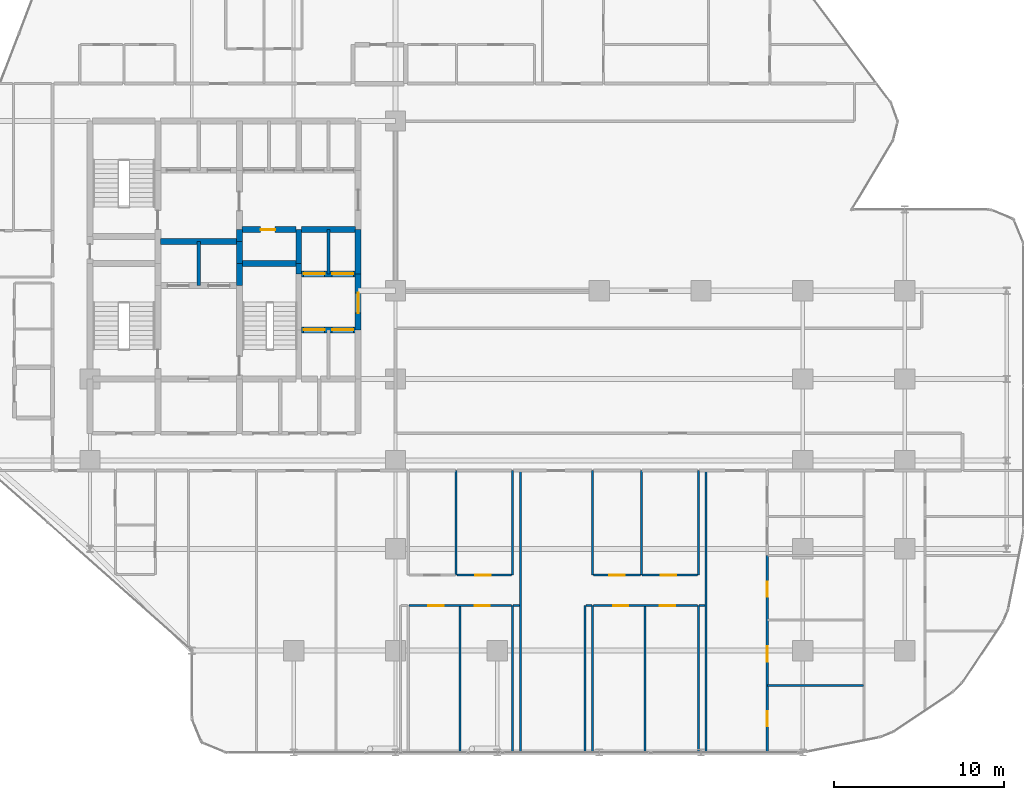
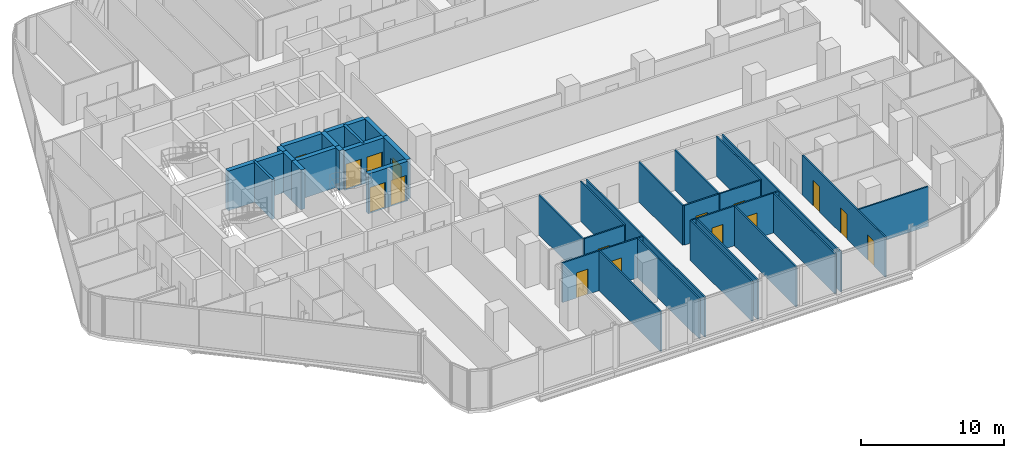
# One storey, part 28 of 33: 38 walls, 16 doors, 16 openings.
"""IFC4 building model written with IfcOpenShell, lengths in metres."""

from ifc_helpers import new_model, si_unit, direction, frame, frame_2d, origin, place, context, subcontext, project, spatial, rectangle, extrude, material, layer, layer_set, type_object, element, fill, save


model = new_model("IFC4")

# Units and contexts
model_context = context("Model", 3, precision=1e-05, world=origin(), true_north=direction((0.0, 1.0)))
body_context = subcontext(model_context, "Body", "Model", "MODEL_VIEW")
ifc_project = project(units=[si_unit("LENGTHUNIT", "METRE"), si_unit("AREAUNIT", "SQUARE_METRE"), si_unit("VOLUMEUNIT", "CUBIC_METRE"), si_unit("PLANEANGLEUNIT", "RADIAN"), si_unit("MASSUNIT", "GRAM", prefix="KILO")], contexts=[model_context])

# Site, building, storey
site_placement = place(None, origin())
site = spatial("IfcSite", under=ifc_project, at=site_placement, CompositionType="ELEMENT")
building_placement = place(site_placement, origin())
building = spatial("IfcBuilding", under=site, at=building_placement, Name="Keshet Zoharim Tower", CompositionType="ELEMENT")
storey_placement = place(building_placement, frame((0.0, 0.0, 73.800048828125)))
storey = spatial("IfcBuildingStorey", under=building, at=storey_placement, Name="L17", CompositionType="ELEMENT", Elevation=73.800048828125)

# Walls
ifc_material_1 = material(Name="Concrete C60/75", Category="concrete")
ifc_layer_1 = layer(ifc_material_1, 0.35009765625)
ifc_layer_set_1 = layer_set([ifc_layer_1], Name="Concrete C60/75")
wall_type_1 = type_object("IfcWallType", Name="WL-CORE-350", PredefinedType="SHEAR", material=ifc_layer_set_1)
for number, where, z_axis, x_axis, name in (
    (1, (23.800048828125, 28.199951171875, 0.0), (0.0, 0.0, 1.0), (0.0, 1.0, 0.0), "L17 Core Shear Wall 039"),
    (2, (23.800048828125, 29.5, 0.0), (0.0, 0.0, 1.0), (0.0, 1.0, 0.0), "L17 Core Shear Wall 040"),
):
    element("IfcWall", number, at=place(storey_placement, frame(where, z_axis=z_axis, x_axis=x_axis)), inside=storey, type_object=wall_type_1, Name=name, PredefinedType="SHEAR", context=body_context, shape_type="SweptSolid", body=[
        extrude(rectangle(XDim=1.300048828125, YDim=0.35009765625, at=frame_2d((0.64990234375, 0.0))), origin(), (0.0, 0.0, 1.0), 3.385009765625),
    ])
wall_1_placement = place(storey_placement, frame((23.800048828125, 30.800048828125, 0.0), z_axis=(0.0, 0.0, 1.0), x_axis=(0.0, 1.0, 0.0)))
element("IfcWall", 3, at=wall_1_placement, inside=storey, type_object=wall_type_1, Name="L17 Core Shear Wall 041", PredefinedType="SHEAR", context=body_context, shape_type="SweptSolid", body=[
    extrude(rectangle(XDim=0.699951171875, YDim=0.35009765625, at=frame_2d((0.35009765625, 0.0))), origin(), (0.0, 0.0, 1.0), 3.385009765625),
])
wall_2_placement = place(storey_placement, frame((27.300048828125, 28.89990234375, 0.0), z_axis=(0.0, 0.0, 1.0), x_axis=(0.0, 1.0, 0.0)))
element("IfcWall", 4, at=wall_2_placement, inside=storey, type_object=wall_type_1, Name="L17 Core Shear Wall 051", PredefinedType="SHEAR", context=body_context, shape_type="SweptSolid", body=[
    extrude(rectangle(XDim=0.60009765625, YDim=0.35009765625, at=frame_2d((0.300048828125, 0.0))), origin(), (0.0, 0.0, 1.0), 3.385009765625),
])
wall_3_placement = place(storey_placement, frame((27.300048828125, 29.5, 0.0), z_axis=(0.0, 0.0, 1.0), x_axis=(0.0, 1.0, 0.0)))
element("IfcWall", 5, at=wall_3_placement, inside=storey, type_object=wall_type_1, Name="L17 Core Shear Wall 052", PredefinedType="SHEAR", context=body_context, shape_type="SweptSolid", body=[
    extrude(rectangle(XDim=2.0, YDim=0.35009765625, at=frame_2d((1.0, 0.0))), origin(), (0.0, 0.0, 1.0), 3.385009765625),
])

# Wall, opening, door
wall_4_placement = place(storey_placement, frame((30.800048828125, 25.60009765625, 0.0), z_axis=(0.0, 0.0, 1.0), x_axis=(0.0, 1.0, 0.0)))
wall_4 = element("IfcWall", 6, at=wall_4_placement, inside=storey, type_object=wall_type_1, Name="L17 Core Shear Wall 065", PredefinedType="SHEAR", context=body_context, shape_type="SweptSolid", body=[
    extrude(rectangle(XDim=3.2998046875, YDim=0.35009765625, at=frame_2d((1.64990234375, 0.0))), origin(), (0.0, 0.0, 1.0), 3.385009765625),
])
opening_1_placement = place(wall_4_placement, frame((0.97802734375, 0.0, 0.0)))
opening_1 = element("IfcOpeningElement", 7, at=opening_1_placement, cuts=wall_4, Name="Opening D-F612", PredefinedType="OPENING", context=body_context, shape_type="SweptSolid", body=[
    extrude(rectangle(XDim=1.199951171875, YDim=2.199951171875, at=frame_2d((0.60009765625, 1.10009765625))), frame((0.0, 0.18505859375, 0.0), z_axis=(0.0, -1.0, 0.0), x_axis=(1.0, 0.0, 0.0)), (0.0, 0.0, 1.0), 0.3701171875),
])
ifc_material_2 = material(Name="Hardwood Timber", Category="wood")
door_type_1 = type_object("IfcDoorType", Name="DR-FD60-120", OperationType="NOTDEFINED", PredefinedType="DOOR", material=ifc_material_2)
door_1_placement = place(opening_1_placement, origin())
door_1 = element("IfcDoor", 8, at=door_1_placement, inside=storey, type_object=door_type_1, Name="L17 East Lift Lobby Fire Door", OperationType="SINGLE_SWING_RIGHT", OverallHeight=2.199951171875, OverallWidth=1.199951171875, PredefinedType="DOOR", context=body_context, shape_type="SweptSolid", body=[
    extrude(rectangle(XDim=1.199951171875, YDim=2.199951171875, at=frame_2d((0.60009765625, 1.10009765625))), frame((0.0, 0.02490234375, 0.0), z_axis=(0.0, -1.0, 0.0), x_axis=(1.0, 0.0, 0.0)), (0.0, 0.0, 1.0), 0.050048828125),
])
fill(opening_1, door_1)

# Wall
wall_5_placement = place(storey_placement, frame((30.800048828125, 28.89990234375, 0.0), z_axis=(0.0, 0.0, 1.0), x_axis=(0.0, 1.0, 0.0)))
element("IfcWall", 9, at=wall_5_placement, inside=storey, type_object=wall_type_1, Name="L17 Core Shear Wall 066", PredefinedType="SHEAR", context=body_context, shape_type="SweptSolid", body=[
    extrude(rectangle(XDim=2.60009765625, YDim=0.35009765625, at=frame_2d((1.300048828125, 0.0))), origin(), (0.0, 0.0, 1.0), 3.385009765625),
])

# Wall, openings, doors
wall_6_placement = place(storey_placement, frame((27.4599609375, 25.60009765625, 0.0), z_axis=(0.0, 0.0, 1.0), x_axis=(1.0, 0.0, 0.0)))
wall_6 = element("IfcWall", 10, at=wall_6_placement, inside=storey, type_object=wall_type_1, Name="L17 Core Shear Wall 166", PredefinedType="SHEAR", context=body_context, shape_type="SweptSolid", body=[
    extrude(rectangle(XDim=3.179931640625, YDim=0.35009765625, at=frame_2d((1.58984375, 0.0))), origin(), (0.0, 0.0, 1.0), 3.385009765625),
])
opening_2_placement = place(wall_6_placement, frame((0.1201171875, 0.0, 0.0)))
opening_2 = element("IfcOpeningElement", 11, at=opening_2_placement, cuts=wall_6, Name="Opening LD-01", PredefinedType="OPENING", context=body_context, shape_type="SweptSolid", body=[
    extrude(rectangle(XDim=1.25, YDim=2.199951171875, at=frame_2d((0.625, 1.10009765625))), frame((0.0, 0.18505859375, 0.0), z_axis=(0.0, -1.0, 0.0), x_axis=(1.0, 0.0, 0.0)), (0.0, 0.0, 1.0), 0.3701171875),
])
opening_3_placement = place(wall_6_placement, frame((1.81005859375, 0.0, 0.0)))
opening_3 = element("IfcOpeningElement", 12, at=opening_3_placement, cuts=wall_6, Name="Opening LD-01", PredefinedType="OPENING", context=body_context, shape_type="SweptSolid", body=[
    extrude(rectangle(XDim=1.25, YDim=2.199951171875, at=frame_2d((0.625, 1.10009765625))), frame((0.0, 0.18505859375, 0.0), z_axis=(0.0, -1.0, 0.0), x_axis=(1.0, 0.0, 0.0)), (0.0, 0.0, 1.0), 0.3701171875),
])
ifc_material_3 = material(Name="Steel S355", Category="steel")
door_type_2 = type_object("IfcDoorType", Name="DR-LD01-125", OperationType="DOUBLE_DOOR_SLIDING", PredefinedType="DOOR", material=ifc_material_3)
door_2_placement = place(opening_2_placement, origin())
door_2 = element("IfcDoor", 13, at=door_2_placement, inside=storey, type_object=door_type_2, Name="L17 Passenger Lift Landing Door LF-07", OperationType="DOUBLE_DOOR_SLIDING", OverallHeight=2.199951171875, OverallWidth=1.25, PredefinedType="DOOR", context=body_context, shape_type="SweptSolid", body=[
    extrude(rectangle(XDim=1.25, YDim=2.199951171875, at=frame_2d((0.625, 1.10009765625))), frame((0.0, 0.02490234375, 0.0), z_axis=(0.0, -1.0, 0.0), x_axis=(1.0, 0.0, 0.0)), (0.0, 0.0, 1.0), 0.050048828125),
])
fill(opening_2, door_2)
door_3_placement = place(opening_3_placement, origin())
door_3 = element("IfcDoor", 14, at=door_3_placement, inside=storey, type_object=door_type_2, Name="L17 Passenger Lift Landing Door LF-08", OperationType="DOUBLE_DOOR_SLIDING", OverallHeight=2.199951171875, OverallWidth=1.25, PredefinedType="DOOR", context=body_context, shape_type="SweptSolid", body=[
    extrude(rectangle(XDim=1.25, YDim=2.199951171875, at=frame_2d((0.625, 1.10009765625))), frame((0.0, 0.02490234375, 0.0), z_axis=(0.0, -1.0, 0.0), x_axis=(1.0, 0.0, 0.0)), (0.0, 0.0, 1.0), 0.050048828125),
])
fill(opening_3, door_3)

wall_7_placement = place(storey_placement, frame((27.4599609375, 28.89990234375, 0.0), z_axis=(0.0, 0.0, 1.0), x_axis=(1.0, 0.0, 0.0)))
wall_7 = element("IfcWall", 15, at=wall_7_placement, inside=storey, type_object=wall_type_1, Name="L17 Core Shear Wall 176", PredefinedType="SHEAR", context=body_context, shape_type="SweptSolid", body=[
    extrude(rectangle(XDim=3.179931640625, YDim=0.35009765625, at=frame_2d((1.58984375, 0.0))), origin(), (0.0, 0.0, 1.0), 3.385009765625),
])
opening_4_placement = place(wall_7_placement, frame((0.1201171875, 0.0, 0.0)))
opening_4 = element("IfcOpeningElement", 16, at=opening_4_placement, cuts=wall_7, Name="Opening LD-01", PredefinedType="OPENING", context=body_context, shape_type="SweptSolid", body=[
    extrude(rectangle(XDim=1.25, YDim=2.199951171875, at=frame_2d((0.625, 1.10009765625))), frame((0.0, 0.18505859375, 0.0), z_axis=(0.0, -1.0, 0.0), x_axis=(1.0, 0.0, 0.0)), (0.0, 0.0, 1.0), 0.3701171875),
])
opening_5_placement = place(wall_7_placement, frame((1.81005859375, 0.0, 0.0)))
opening_5 = element("IfcOpeningElement", 17, at=opening_5_placement, cuts=wall_7, Name="Opening LD-01", PredefinedType="OPENING", context=body_context, shape_type="SweptSolid", body=[
    extrude(rectangle(XDim=1.25, YDim=2.199951171875, at=frame_2d((0.625, 1.10009765625))), frame((0.0, 0.18505859375, 0.0), z_axis=(0.0, -1.0, 0.0), x_axis=(1.0, 0.0, 0.0)), (0.0, 0.0, 1.0), 0.3701171875),
])
door_4_placement = place(opening_4_placement, origin())
door_4 = element("IfcDoor", 18, at=door_4_placement, inside=storey, type_object=door_type_2, Name="L17 Passenger Lift Landing Door LF-05", OperationType="DOUBLE_DOOR_SLIDING", OverallHeight=2.199951171875, OverallWidth=1.25, PredefinedType="DOOR", context=body_context, shape_type="SweptSolid", body=[
    extrude(rectangle(XDim=1.25, YDim=2.199951171875, at=frame_2d((0.625, 1.10009765625))), frame((0.0, 0.02490234375, 0.0), z_axis=(0.0, -1.0, 0.0), x_axis=(1.0, 0.0, 0.0)), (0.0, 0.0, 1.0), 0.050048828125),
])
fill(opening_4, door_4)
door_5_placement = place(opening_5_placement, origin())
door_5 = element("IfcDoor", 19, at=door_5_placement, inside=storey, type_object=door_type_2, Name="L17 Passenger Lift Landing Door LF-06", OperationType="DOUBLE_DOOR_SLIDING", OverallHeight=2.199951171875, OverallWidth=1.25, PredefinedType="DOOR", context=body_context, shape_type="SweptSolid", body=[
    extrude(rectangle(XDim=1.25, YDim=2.199951171875, at=frame_2d((0.625, 1.10009765625))), frame((0.0, 0.02490234375, 0.0), z_axis=(0.0, -1.0, 0.0), x_axis=(1.0, 0.0, 0.0)), (0.0, 0.0, 1.0), 0.050048828125),
])
fill(opening_5, door_5)

# Walls
wall_8_placement = place(storey_placement, frame((23.9599609375, 29.5, 0.0), z_axis=(0.0, 0.0, 1.0), x_axis=(1.0, 0.0, 0.0)))
element("IfcWall", 20, at=wall_8_placement, inside=storey, type_object=wall_type_1, Name="L17 Core Shear Wall 178", PredefinedType="SHEAR", context=body_context, shape_type="SweptSolid", body=[
    extrude(rectangle(XDim=3.179931640625, YDim=0.35009765625, at=frame_2d((1.58984375, 0.0))), origin(), (0.0, 0.0, 1.0), 3.385009765625),
])
wall_9_placement = place(storey_placement, frame((19.159912109375, 30.800048828125, 0.0), z_axis=(0.0, 0.0, 1.0), x_axis=(1.0, 0.0, 0.0)))
element("IfcWall", 21, at=wall_9_placement, inside=storey, type_object=wall_type_1, Name="L17 Core Shear Wall 179", PredefinedType="SHEAR", context=body_context, shape_type="SweptSolid", body=[
    extrude(rectangle(XDim=4.47998046875, YDim=0.35009765625, at=frame_2d((2.239990234375, 0.0))), origin(), (0.0, 0.0, 1.0), 3.385009765625),
])

# Wall, opening, door
wall_10_placement = place(storey_placement, frame((23.9599609375, 31.5, 0.0), z_axis=(0.0, 0.0, 1.0), x_axis=(1.0, 0.0, 0.0)))
wall_10 = element("IfcWall", 22, at=wall_10_placement, inside=storey, type_object=wall_type_1, Name="L17 Core Shear Wall 183", PredefinedType="SHEAR", context=body_context, shape_type="SweptSolid", body=[
    extrude(rectangle(XDim=3.179931640625, YDim=0.35009765625, at=frame_2d((1.58984375, 0.0))), origin(), (0.0, 0.0, 1.0), 3.385009765625),
])
opening_6_placement = place(wall_10_placement, frame((1.093994140625, 0.0, 0.0)))
opening_6 = element("IfcOpeningElement", 23, at=opening_6_placement, cuts=wall_10, Name="Opening D-RS85", PredefinedType="OPENING", context=body_context, shape_type="SweptSolid", body=[
    extrude(rectangle(XDim=0.85009765625, YDim=2.10009765625, at=frame_2d((0.425048828125, 1.050048828125))), frame((0.0, 0.18505859375, 0.0), z_axis=(0.0, -1.0, 0.0), x_axis=(1.0, 0.0, 0.0)), (0.0, 0.0, 1.0), 0.3701171875),
])
door_type_3 = type_object("IfcDoorType", Name="DR-RIS-085", OperationType="NOTDEFINED", PredefinedType="DOOR", material=ifc_material_2)
door_6_placement = place(opening_6_placement, origin())
door_6 = element("IfcDoor", 24, at=door_6_placement, inside=storey, type_object=door_type_3, Name="L17 Telecom Riser Access Cupboard Door", OperationType="SINGLE_SWING_RIGHT", OverallHeight=2.10009765625, OverallWidth=0.85009765625, PredefinedType="DOOR", context=body_context, shape_type="SweptSolid", body=[
    extrude(rectangle(XDim=0.85009765625, YDim=2.10009765625, at=frame_2d((0.425048828125, 1.050048828125))), frame((0.0, 0.02490234375, 0.0), z_axis=(0.0, -1.0, 0.0), x_axis=(1.0, 0.0, 0.0)), (0.0, 0.0, 1.0), 0.050048828125),
])
fill(opening_6, door_6)

# Walls
wall_11_placement = place(storey_placement, frame((27.4599609375, 31.5, 0.0), z_axis=(0.0, 0.0, 1.0), x_axis=(1.0, 0.0, 0.0)))
element("IfcWall", 25, at=wall_11_placement, inside=storey, type_object=wall_type_1, Name="L17 Core Shear Wall 184", PredefinedType="SHEAR", context=body_context, shape_type="SweptSolid", body=[
    extrude(rectangle(XDim=3.179931640625, YDim=0.35009765625, at=frame_2d((1.58984375, 0.0))), origin(), (0.0, 0.0, 1.0), 3.385009765625),
])
ifc_material_4 = material(Name="Concrete C50/60", Category="concrete")
ifc_layer_2 = layer(ifc_material_4, 0.199951171875)
ifc_layer_set_2 = layer_set([ifc_layer_2], Name="Concrete C50/60")
wall_type_2 = type_object("IfcWallType", Name="WL-FIRE-200", PredefinedType="STANDARD", material=ifc_layer_set_2)
for number, where, z_axis, x_axis, name in (
    (26, (21.39990234375, 28.199951171875, 0.0), (0.0, 0.0, 1.0), (0.0, 1.0, 0.0), "L17 Interior Wall 034"),
    (27, (29.050048828125, 28.89990234375, 0.0), (0.0, 0.0, 1.0), (0.0, 1.0, 0.0), "L17 Interior Wall 057"),
):
    element("IfcWall", number, at=place(storey_placement, frame(where, z_axis=z_axis, x_axis=x_axis)), inside=storey, type_object=wall_type_2, Name=name, PredefinedType="STANDARD", context=body_context, shape_type="SweptSolid", body=[
        extrude(rectangle(XDim=2.60009765625, YDim=0.199951171875, at=frame_2d((1.300048828125, 0.0))), origin(), (0.0, 0.0, 1.0), 3.385009765625),
    ])
ifc_material_5 = material(Name="Gypsum Plasterboard", Category="gypsum")
ifc_layer_3 = layer(ifc_material_5, 0.1201171875)
ifc_layer_set_3 = layer_set([ifc_layer_3], Name="Gypsum Plasterboard")
wall_type_3 = type_object("IfcWallType", Name="WL-PART-120", PredefinedType="PARTITIONING", material=ifc_layer_set_3)
for number, where, z_axis, x_axis, name in (
    (28, (36.800048828125, 0.7099609375, 0.0), (0.0, 0.0, 1.0), (0.0, 1.0, 0.0), "L17 Interior Wall 079"),
    (29, (39.89990234375, 0.7099609375, 0.0), (0.0, 0.0, 1.0), (0.0, 1.0, 0.0), "L17 Interior Wall 081"),
):
    element("IfcWall", number, at=place(storey_placement, frame(where, z_axis=z_axis, x_axis=x_axis)), inside=storey, type_object=wall_type_3, Name=name, PredefinedType="PARTITIONING", context=body_context, shape_type="SweptSolid", body=[
        extrude(rectangle(XDim=8.64013671875, YDim=0.1201171875, at=frame_2d((4.320068359375, 0.0))), origin(), (0.0, 0.0, 1.0), 3.385009765625),
    ])
wall_12_placement = place(storey_placement, frame((40.35009765625, 0.7099609375, 0.0), z_axis=(0.0, 0.0, 1.0), x_axis=(0.0, 1.0, 0.0)))
element("IfcWall", 30, at=wall_12_placement, inside=storey, type_object=wall_type_3, Name="L17 Interior Wall 083", PredefinedType="PARTITIONING", context=body_context, shape_type="SweptSolid", body=[
    extrude(rectangle(XDim=16.590087890625, YDim=0.1201171875, at=frame_2d((8.294921875, 0.0))), origin(), (0.0, 0.0, 1.0), 3.385009765625),
])
for number, where, z_axis, x_axis, name in (
    (31, (44.14990234375, 0.7099609375, 0.0), (0.0, 0.0, 1.0), (0.0, 1.0, 0.0), "L17 Interior Wall 087"),
    (32, (44.60009765625, 0.7099609375, 0.0), (0.0, 0.0, 1.0), (0.0, 1.0, 0.0), "L17 Interior Wall 088"),
):
    element("IfcWall", number, at=place(storey_placement, frame(where, z_axis=z_axis, x_axis=x_axis)), inside=storey, type_object=wall_type_3, Name=name, PredefinedType="PARTITIONING", context=body_context, shape_type="SweptSolid", body=[
        extrude(rectangle(XDim=8.64013671875, YDim=0.1201171875, at=frame_2d((4.320068359375, 0.0))), origin(), (0.0, 0.0, 1.0), 3.385009765625),
    ])
wall_13_placement = place(storey_placement, frame((44.60009765625, 11.14990234375, 0.0), z_axis=(0.0, 0.0, 1.0), x_axis=(0.0, 1.0, 0.0)))
element("IfcWall", 33, at=wall_13_placement, inside=storey, type_object=wall_type_3, Name="L17 Interior Wall 089", PredefinedType="PARTITIONING", context=body_context, shape_type="SweptSolid", body=[
    extrude(rectangle(XDim=6.150146484375, YDim=0.1201171875, at=frame_2d((3.0751953125, 0.0))), origin(), (0.0, 0.0, 1.0), 3.385009765625),
])
for number, where, z_axis, x_axis, name in (
    (34, (47.699951171875, 0.7099609375, 0.0), (0.0, 0.0, 1.0), (0.0, 1.0, 0.0), "L17 Interior Wall 094"),
    (35, (50.85009765625, 0.7099609375, 0.0), (0.0, 0.0, 1.0), (0.0, 1.0, 0.0), "L17 Interior Wall 095"),
):
    element("IfcWall", number, at=place(storey_placement, frame(where, z_axis=z_axis, x_axis=x_axis)), inside=storey, type_object=wall_type_3, Name=name, PredefinedType="PARTITIONING", context=body_context, shape_type="SweptSolid", body=[
        extrude(rectangle(XDim=8.64013671875, YDim=0.1201171875, at=frame_2d((4.320068359375, 0.0))), origin(), (0.0, 0.0, 1.0), 3.385009765625),
    ])
wall_14_placement = place(storey_placement, frame((51.300048828125, 0.7099609375, 0.0), z_axis=(0.0, 0.0, 1.0), x_axis=(0.0, 1.0, 0.0)))
element("IfcWall", 36, at=wall_14_placement, inside=storey, type_object=wall_type_3, Name="L17 Interior Wall 097", PredefinedType="PARTITIONING", context=body_context, shape_type="SweptSolid", body=[
    extrude(rectangle(XDim=16.590087890625, YDim=0.1201171875, at=frame_2d((8.294921875, 0.0))), origin(), (0.0, 0.0, 1.0), 3.385009765625),
])

# Wall, openings, doors
wall_15_placement = place(storey_placement, frame((54.89990234375, 0.7099609375, 0.0), z_axis=(0.0, 0.0, 1.0), x_axis=(0.0, 1.0, 0.0)))
wall_15 = element("IfcWall", 37, at=wall_15_placement, inside=storey, type_object=wall_type_3, Name="L17 Interior Wall 101", PredefinedType="PARTITIONING", context=body_context, shape_type="SweptSolid", body=[
    extrude(rectangle(XDim=11.590087890625, YDim=0.1201171875, at=frame_2d((5.794921875, 0.0))), origin(), (0.0, 0.0, 1.0), 3.385009765625),
])
opening_7_placement = place(wall_15_placement, frame((1.534912109375, 0.0, 0.0)))
opening_7 = element("IfcOpeningElement", 38, at=opening_7_placement, cuts=wall_15, Name="Opening D-IN90", PredefinedType="OPENING", context=body_context, shape_type="SweptSolid", body=[
    extrude(rectangle(XDim=0.89990234375, YDim=2.14990234375, at=frame_2d((0.449951171875, 1.074951171875))), frame((0.0, 0.070068359375, 0.0), z_axis=(0.0, -1.0, 0.0), x_axis=(1.0, 0.0, 0.0)), (0.0, 0.0, 1.0), 0.14013671875),
])
opening_8_placement = place(wall_15_placement, frame((5.34912109375, 0.0, 0.0)))
opening_8 = element("IfcOpeningElement", 39, at=opening_8_placement, cuts=wall_15, Name="Opening D-IN90", PredefinedType="OPENING", context=body_context, shape_type="SweptSolid", body=[
    extrude(rectangle(XDim=0.89990234375, YDim=2.14990234375, at=frame_2d((0.449951171875, 1.074951171875))), frame((0.0, 0.070068359375, 0.0), z_axis=(0.0, -1.0, 0.0), x_axis=(1.0, 0.0, 0.0)), (0.0, 0.0, 1.0), 0.14013671875),
])
opening_9_placement = place(wall_15_placement, frame((9.158935546875, 0.0, 0.0)))
opening_9 = element("IfcOpeningElement", 40, at=opening_9_placement, cuts=wall_15, Name="Opening D-IN90", PredefinedType="OPENING", context=body_context, shape_type="SweptSolid", body=[
    extrude(rectangle(XDim=0.89990234375, YDim=2.14990234375, at=frame_2d((0.449951171875, 1.074951171875))), frame((0.0, 0.070068359375, 0.0), z_axis=(0.0, -1.0, 0.0), x_axis=(1.0, 0.0, 0.0)), (0.0, 0.0, 1.0), 0.14013671875),
])
door_type_4 = type_object("IfcDoorType", Name="DR-INT-090", OperationType="NOTDEFINED", PredefinedType="DOOR", material=ifc_material_2)
door_7_placement = place(opening_7_placement, origin())
door_7 = element("IfcDoor", 41, at=door_7_placement, inside=storey, type_object=door_type_4, Name="Apartment 1704 Bedroom 1 Door", OperationType="SINGLE_SWING_RIGHT", OverallHeight=2.14990234375, OverallWidth=0.89990234375, PredefinedType="DOOR", context=body_context, shape_type="SweptSolid", body=[
    extrude(rectangle(XDim=0.89990234375, YDim=2.14990234375, at=frame_2d((0.449951171875, 1.074951171875))), frame((0.0, 0.02490234375, 0.0), z_axis=(0.0, -1.0, 0.0), x_axis=(1.0, 0.0, 0.0)), (0.0, 0.0, 1.0), 0.050048828125),
])
fill(opening_7, door_7)
door_8_placement = place(opening_8_placement, origin())
door_8 = element("IfcDoor", 42, at=door_8_placement, inside=storey, type_object=door_type_4, Name="Apartment 1704 Bedroom 2 Door", OperationType="SINGLE_SWING_LEFT", OverallHeight=2.14990234375, OverallWidth=0.89990234375, PredefinedType="DOOR", context=body_context, shape_type="SweptSolid", body=[
    extrude(rectangle(XDim=0.89990234375, YDim=2.14990234375, at=frame_2d((0.449951171875, 1.074951171875))), frame((0.0, 0.02490234375, 0.0), z_axis=(0.0, -1.0, 0.0), x_axis=(1.0, 0.0, 0.0)), (0.0, 0.0, 1.0), 0.050048828125),
])
fill(opening_8, door_8)
door_9_placement = place(opening_9_placement, origin())
door_9 = element("IfcDoor", 43, at=door_9_placement, inside=storey, type_object=door_type_4, Name="Apartment 1704 Bedroom 3 Door", OperationType="SINGLE_SWING_RIGHT", OverallHeight=2.14990234375, OverallWidth=0.89990234375, PredefinedType="DOOR", context=body_context, shape_type="SweptSolid", body=[
    extrude(rectangle(XDim=0.89990234375, YDim=2.14990234375, at=frame_2d((0.449951171875, 1.074951171875))), frame((0.0, 0.02490234375, 0.0), z_axis=(0.0, -1.0, 0.0), x_axis=(1.0, 0.0, 0.0)), (0.0, 0.0, 1.0), 0.050048828125),
])
fill(opening_9, door_9)

# Wall
wall_16_placement = place(storey_placement, frame((54.925048828125, 4.64990234375, 0.0), z_axis=(0.0, 0.0, 1.0), x_axis=(1.0, 0.0, 0.0)))
element("IfcWall", 44, at=wall_16_placement, inside=storey, type_object=wall_type_3, Name="L17 Interior Wall 115", PredefinedType="PARTITIONING", context=body_context, shape_type="SweptSolid", body=[
    extrude(rectangle(XDim=5.639892578125, YDim=0.1201171875, at=frame_2d((2.81982421875, 0.0))), origin(), (0.0, 0.0, 1.0), 3.385009765625),
])

# Wall, openings, doors
wall_17_placement = place(storey_placement, frame((33.784912109375, 9.35009765625, 0.0), z_axis=(0.0, 0.0, 1.0), x_axis=(1.0, 0.0, 0.0)))
wall_17 = element("IfcWall", 45, at=wall_17_placement, inside=storey, type_object=wall_type_3, Name="L17 Interior Wall 119", PredefinedType="PARTITIONING", context=body_context, shape_type="SweptSolid", body=[
    extrude(rectangle(XDim=6.06005859375, YDim=0.1201171875, at=frame_2d((3.030029296875, 0.0))), origin(), (0.0, 0.0, 1.0), 3.385009765625),
])
opening_10_placement = place(wall_17_placement, frame((1.14404296875, 0.0, 0.0)))
opening_10 = element("IfcOpeningElement", 46, at=opening_10_placement, cuts=wall_17, Name="Opening D-IN90", PredefinedType="OPENING", context=body_context, shape_type="SweptSolid", body=[
    extrude(rectangle(XDim=0.89990234375, YDim=2.14990234375, at=frame_2d((0.449951171875, 1.074951171875))), frame((0.0, 0.070068359375, 0.0), z_axis=(0.0, -1.0, 0.0), x_axis=(1.0, 0.0, 0.0)), (0.0, 0.0, 1.0), 0.14013671875),
])
opening_11_placement = place(wall_17_placement, frame((3.868896484375, 0.0, 0.0)))
opening_11 = element("IfcOpeningElement", 47, at=opening_11_placement, cuts=wall_17, Name="Opening D-IN90", PredefinedType="OPENING", context=body_context, shape_type="SweptSolid", body=[
    extrude(rectangle(XDim=0.89990234375, YDim=2.14990234375, at=frame_2d((0.449951171875, 1.074951171875))), frame((0.0, 0.070068359375, 0.0), z_axis=(0.0, -1.0, 0.0), x_axis=(1.0, 0.0, 0.0)), (0.0, 0.0, 1.0), 0.14013671875),
])
door_10_placement = place(opening_10_placement, origin())
door_10 = element("IfcDoor", 48, at=door_10_placement, inside=storey, type_object=door_type_4, Name="Apartment 1702 Bedroom 1 Door", OperationType="SINGLE_SWING_LEFT", OverallHeight=2.14990234375, OverallWidth=0.89990234375, PredefinedType="DOOR", context=body_context, shape_type="SweptSolid", body=[
    extrude(rectangle(XDim=0.89990234375, YDim=2.14990234375, at=frame_2d((0.449951171875, 1.074951171875))), frame((0.0, 0.02490234375, 0.0), z_axis=(0.0, -1.0, 0.0), x_axis=(1.0, 0.0, 0.0)), (0.0, 0.0, 1.0), 0.050048828125),
])
fill(opening_10, door_10)
door_11_placement = place(opening_11_placement, origin())
door_11 = element("IfcDoor", 49, at=door_11_placement, inside=storey, type_object=door_type_4, Name="Apartment 1702 Bedroom 2 Door", OperationType="SINGLE_SWING_RIGHT", OverallHeight=2.14990234375, OverallWidth=0.89990234375, PredefinedType="DOOR", context=body_context, shape_type="SweptSolid", body=[
    extrude(rectangle(XDim=0.89990234375, YDim=2.14990234375, at=frame_2d((0.449951171875, 1.074951171875))), frame((0.0, 0.02490234375, 0.0), z_axis=(0.0, -1.0, 0.0), x_axis=(1.0, 0.0, 0.0)), (0.0, 0.0, 1.0), 0.050048828125),
])
fill(opening_11, door_11)

# Walls
for number, where, z_axis, x_axis, name in (
    (50, (39.93505859375, 9.35009765625, 0.0), (0.0, 0.0, 1.0), (1.0, 0.0, 0.0), "L17 Interior Wall 120"),
    (51, (44.215087890625, 9.35009765625, 0.0), (0.0, 0.0, 1.0), (1.0, 0.0, 0.0), "L17 Interior Wall 121"),
):
    element("IfcWall", number, at=place(storey_placement, frame(where, z_axis=z_axis, x_axis=x_axis)), inside=storey, type_object=wall_type_3, Name=name, PredefinedType="PARTITIONING", context=body_context, shape_type="SweptSolid", body=[
        extrude(rectangle(XDim=0.35986328125, YDim=0.1201171875, at=frame_2d((0.179931640625, 0.0))), origin(), (0.0, 0.0, 1.0), 3.385009765625),
    ])

# Wall, openings, doors
wall_18_placement = place(storey_placement, frame((44.6650390625, 9.35009765625, 0.0), z_axis=(0.0, 0.0, 1.0), x_axis=(1.0, 0.0, 0.0)))
wall_18 = element("IfcWall", 52, at=wall_18_placement, inside=storey, type_object=wall_type_3, Name="L17 Interior Wall 122", PredefinedType="PARTITIONING", context=body_context, shape_type="SweptSolid", body=[
    extrude(rectangle(XDim=6.119873046875, YDim=0.1201171875, at=frame_2d((3.06005859375, 0.0))), origin(), (0.0, 0.0, 1.0), 3.385009765625),
])
opening_12_placement = place(wall_18_placement, frame((1.157958984375, 0.0, 0.0)))
opening_12 = element("IfcOpeningElement", 53, at=opening_12_placement, cuts=wall_18, Name="Opening D-IN90", PredefinedType="OPENING", context=body_context, shape_type="SweptSolid", body=[
    extrude(rectangle(XDim=0.89990234375, YDim=2.14990234375, at=frame_2d((0.449951171875, 1.074951171875))), frame((0.0, 0.070068359375, 0.0), z_axis=(0.0, -1.0, 0.0), x_axis=(1.0, 0.0, 0.0)), (0.0, 0.0, 1.0), 0.14013671875),
])
opening_13_placement = place(wall_18_placement, frame((3.9130859375, 0.0, 0.0)))
opening_13 = element("IfcOpeningElement", 54, at=opening_13_placement, cuts=wall_18, Name="Opening D-IN90", PredefinedType="OPENING", context=body_context, shape_type="SweptSolid", body=[
    extrude(rectangle(XDim=0.89990234375, YDim=2.14990234375, at=frame_2d((0.449951171875, 1.074951171875))), frame((0.0, 0.070068359375, 0.0), z_axis=(0.0, -1.0, 0.0), x_axis=(1.0, 0.0, 0.0)), (0.0, 0.0, 1.0), 0.14013671875),
])
door_12_placement = place(opening_12_placement, origin())
door_12 = element("IfcDoor", 55, at=door_12_placement, inside=storey, type_object=door_type_4, Name="Apartment 1703 Bedroom 1 Door", OperationType="SINGLE_SWING_LEFT", OverallHeight=2.14990234375, OverallWidth=0.89990234375, PredefinedType="DOOR", context=body_context, shape_type="SweptSolid", body=[
    extrude(rectangle(XDim=0.89990234375, YDim=2.14990234375, at=frame_2d((0.449951171875, 1.074951171875))), frame((0.0, 0.02490234375, 0.0), z_axis=(0.0, -1.0, 0.0), x_axis=(1.0, 0.0, 0.0)), (0.0, 0.0, 1.0), 0.050048828125),
])
fill(opening_12, door_12)
door_13_placement = place(opening_13_placement, origin())
door_13 = element("IfcDoor", 56, at=door_13_placement, inside=storey, type_object=door_type_4, Name="Apartment 1703 Bedroom 2 Door", OperationType="SINGLE_SWING_RIGHT", OverallHeight=2.14990234375, OverallWidth=0.89990234375, PredefinedType="DOOR", context=body_context, shape_type="SweptSolid", body=[
    extrude(rectangle(XDim=0.89990234375, YDim=2.14990234375, at=frame_2d((0.449951171875, 1.074951171875))), frame((0.0, 0.02490234375, 0.0), z_axis=(0.0, -1.0, 0.0), x_axis=(1.0, 0.0, 0.0)), (0.0, 0.0, 1.0), 0.050048828125),
])
fill(opening_13, door_13)

# Wall
wall_19_placement = place(storey_placement, frame((50.875, 9.35009765625, 0.0), z_axis=(0.0, 0.0, 1.0), x_axis=(1.0, 0.0, 0.0)))
element("IfcWall", 57, at=wall_19_placement, inside=storey, type_object=wall_type_3, Name="L17 Interior Wall 123", PredefinedType="PARTITIONING", context=body_context, shape_type="SweptSolid", body=[
    extrude(rectangle(XDim=0.360107421875, YDim=0.1201171875, at=frame_2d((0.18017578125, 0.0))), origin(), (0.0, 0.0, 1.0), 3.385009765625),
])

# Wall, opening, door
wall_20_placement = place(storey_placement, frame((44.6650390625, 11.14990234375, 0.0), z_axis=(0.0, 0.0, 1.0), x_axis=(1.0, 0.0, 0.0)))
wall_20 = element("IfcWall", 58, at=wall_20_placement, inside=storey, type_object=wall_type_3, Name="L17 Interior Wall 126", PredefinedType="PARTITIONING", context=body_context, shape_type="SweptSolid", body=[
    extrude(rectangle(XDim=2.766845703125, YDim=0.1201171875, at=frame_2d((1.38330078125, 0.0))), origin(), (0.0, 0.0, 1.0), 3.385009765625),
])
opening_14_placement = place(wall_20_placement, frame((0.93310546875, 0.0, 0.0)))
opening_14 = element("IfcOpeningElement", 59, at=opening_14_placement, cuts=wall_20, Name="Opening D-IN90", PredefinedType="OPENING", context=body_context, shape_type="SweptSolid", body=[
    extrude(rectangle(XDim=0.89990234375, YDim=2.14990234375, at=frame_2d((0.449951171875, 1.074951171875))), frame((0.0, 0.070068359375, 0.0), z_axis=(0.0, -1.0, 0.0), x_axis=(1.0, 0.0, 0.0)), (0.0, 0.0, 1.0), 0.14013671875),
])
door_14_placement = place(opening_14_placement, origin())
door_14 = element("IfcDoor", 60, at=door_14_placement, inside=storey, type_object=door_type_4, Name="Apartment 1703 Kitchen Door", OperationType="SINGLE_SWING_LEFT", OverallHeight=2.14990234375, OverallWidth=0.89990234375, PredefinedType="DOOR", context=body_context, shape_type="SweptSolid", body=[
    extrude(rectangle(XDim=0.89990234375, YDim=2.14990234375, at=frame_2d((0.449951171875, 1.074951171875))), frame((0.0, 0.02490234375, 0.0), z_axis=(0.0, -1.0, 0.0), x_axis=(1.0, 0.0, 0.0)), (0.0, 0.0, 1.0), 0.050048828125),
])
fill(opening_14, door_14)

# Walls
ifc_layer_4 = layer(ifc_material_5, 0.1201171875)
ifc_layer_set_4 = layer_set([ifc_layer_4], Name="Gypsum Plasterboard")
wall_type_4 = type_object("IfcWallType", Name="WL-WET-120", PredefinedType="PARTITIONING", material=ifc_layer_set_4)
for number, where, z_axis, x_axis, name in (
    (61, (36.550048828125, 11.14990234375, 0.0), (0.0, 0.0, 1.0), (0.0, 1.0, 0.0), "L17 Interior Wall 077"),
    (62, (39.89990234375, 11.14990234375, 0.0), (0.0, 0.0, 1.0), (0.0, 1.0, 0.0), "L17 Interior Wall 082"),
    (63, (47.5, 11.14990234375, 0.0), (0.0, 0.0, 1.0), (0.0, 1.0, 0.0), "L17 Interior Wall 093"),
    (64, (50.85009765625, 11.14990234375, 0.0), (0.0, 0.0, 1.0), (0.0, 1.0, 0.0), "L17 Interior Wall 096"),
):
    element("IfcWall", number, at=place(storey_placement, frame(where, z_axis=z_axis, x_axis=x_axis)), inside=storey, type_object=wall_type_4, Name=name, PredefinedType="PARTITIONING", context=body_context, shape_type="SweptSolid", body=[
        extrude(rectangle(XDim=6.150146484375, YDim=0.1201171875, at=frame_2d((3.0751953125, 0.0))), origin(), (0.0, 0.0, 1.0), 3.385009765625),
    ])

# Wall, opening, door
wall_21_placement = place(storey_placement, frame((36.614013671875, 11.14990234375, 0.0), z_axis=(0.0, 0.0, 1.0), x_axis=(1.0, 0.0, 0.0)))
wall_21 = element("IfcWall", 65, at=wall_21_placement, inside=storey, type_object=wall_type_4, Name="L17 Interior Wall 125", PredefinedType="PARTITIONING", context=body_context, shape_type="SweptSolid", body=[
    extrude(rectangle(XDim=3.23095703125, YDim=0.1201171875, at=frame_2d((1.615478515625, 0.0))), origin(), (0.0, 0.0, 1.0), 3.385009765625),
])
opening_15_placement = place(wall_21_placement, frame((1.092041015625, 0.0, 0.0)))
opening_15 = element("IfcOpeningElement", 66, at=opening_15_placement, cuts=wall_21, Name="Opening D-WT90", PredefinedType="OPENING", context=body_context, shape_type="SweptSolid", body=[
    extrude(rectangle(XDim=0.89990234375, YDim=2.10009765625, at=frame_2d((0.449951171875, 1.050048828125))), frame((0.0, 0.070068359375, 0.0), z_axis=(0.0, -1.0, 0.0), x_axis=(1.0, 0.0, 0.0)), (0.0, 0.0, 1.0), 0.14013671875),
])
door_type_5 = type_object("IfcDoorType", Name="DR-WET-090", OperationType="NOTDEFINED", PredefinedType="DOOR", material=ifc_material_2)
door_15_placement = place(opening_15_placement, origin())
door_15 = element("IfcDoor", 67, at=door_15_placement, inside=storey, type_object=door_type_5, Name="Apartment 1702 Bathroom Door", OperationType="SINGLE_SWING_RIGHT", OverallHeight=2.10009765625, OverallWidth=0.89990234375, PredefinedType="DOOR", context=body_context, shape_type="SweptSolid", body=[
    extrude(rectangle(XDim=0.89990234375, YDim=2.10009765625, at=frame_2d((0.449951171875, 1.050048828125))), frame((0.0, 0.02490234375, 0.0), z_axis=(0.0, -1.0, 0.0), x_axis=(1.0, 0.0, 0.0)), (0.0, 0.0, 1.0), 0.050048828125),
])
fill(opening_15, door_15)

wall_22_placement = place(storey_placement, frame((47.52197265625, 11.14990234375, 0.0), z_axis=(0.0, 0.0, 1.0), x_axis=(1.0, 0.0, 0.0)))
wall_22 = element("IfcWall", 68, at=wall_22_placement, inside=storey, type_object=wall_type_4, Name="L17 Interior Wall 127", PredefinedType="PARTITIONING", context=body_context, shape_type="SweptSolid", body=[
    extrude(rectangle(XDim=3.262939453125, YDim=0.1201171875, at=frame_2d((1.63134765625, 0.0))), origin(), (0.0, 0.0, 1.0), 3.385009765625),
])
opening_16_placement = place(wall_22_placement, frame((1.10693359375, 0.0, 0.0)))
opening_16 = element("IfcOpeningElement", 69, at=opening_16_placement, cuts=wall_22, Name="Opening D-WT90", PredefinedType="OPENING", context=body_context, shape_type="SweptSolid", body=[
    extrude(rectangle(XDim=0.89990234375, YDim=2.10009765625, at=frame_2d((0.449951171875, 1.050048828125))), frame((0.0, 0.070068359375, 0.0), z_axis=(0.0, -1.0, 0.0), x_axis=(1.0, 0.0, 0.0)), (0.0, 0.0, 1.0), 0.14013671875),
])
door_16_placement = place(opening_16_placement, origin())
door_16 = element("IfcDoor", 70, at=door_16_placement, inside=storey, type_object=door_type_5, Name="Apartment 1703 Bathroom Door", OperationType="SINGLE_SWING_RIGHT", OverallHeight=2.10009765625, OverallWidth=0.89990234375, PredefinedType="DOOR", context=body_context, shape_type="SweptSolid", body=[
    extrude(rectangle(XDim=0.89990234375, YDim=2.10009765625, at=frame_2d((0.449951171875, 1.050048828125))), frame((0.0, 0.02490234375, 0.0), z_axis=(0.0, -1.0, 0.0), x_axis=(1.0, 0.0, 0.0)), (0.0, 0.0, 1.0), 0.050048828125),
])
fill(opening_16, door_16)

save(model, "model.ifc")
